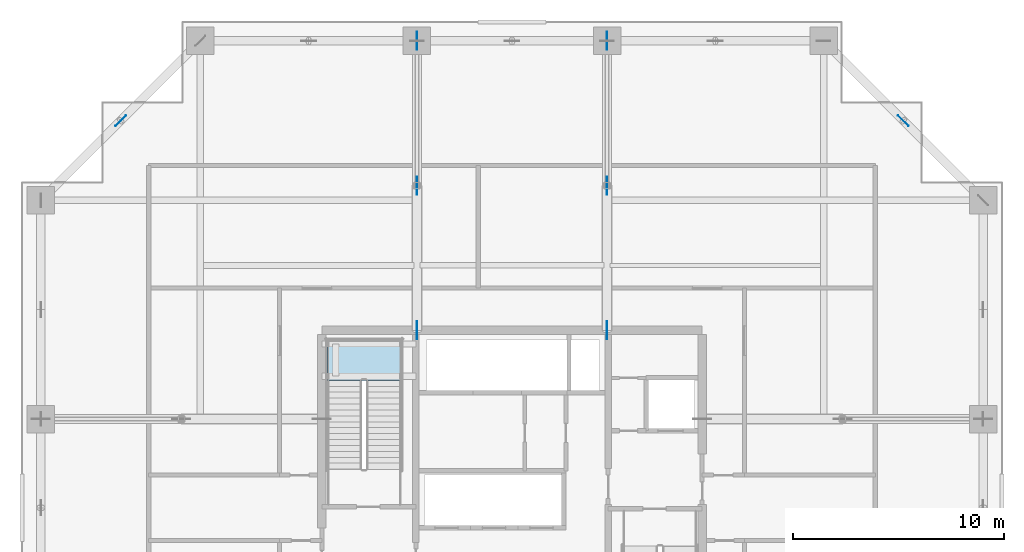
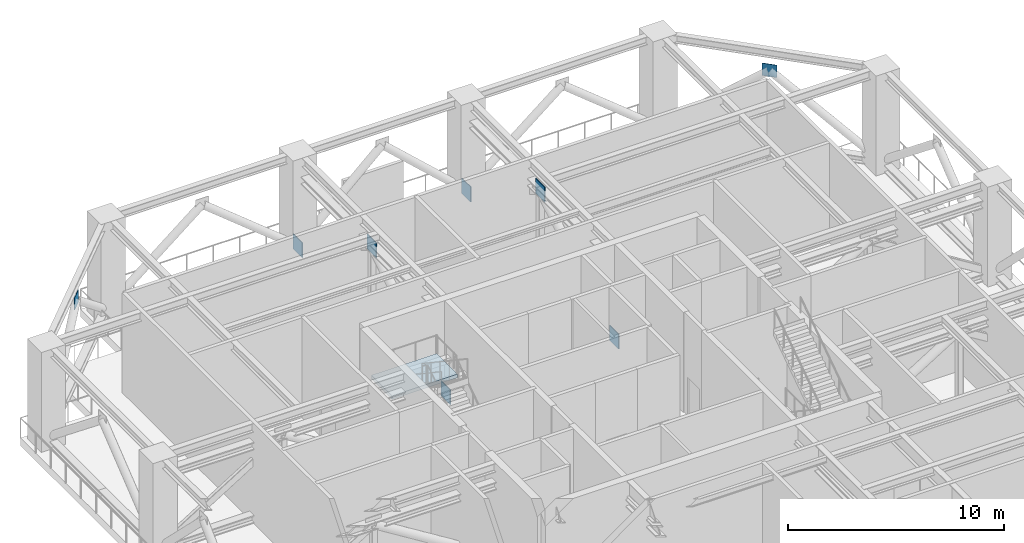
# One storey, part 10 of 22: 8 plates, 1 slab, 1 element without a shape of its own.
"""IFC4 building model written with IfcOpenShell, lengths in metres."""

from ifc_helpers import new_model, si_unit, direction, frame, origin, origin_2d, place, context, subcontext, project, spatial, polyline, rectangle, outline, extrude, source, transform, mapped, material, layer, layer_set, type_object, element, aggregate, save


model = new_model("IFC4")

# Units and contexts
model_context = context("Model", 3, precision=1e-05, world=origin(), true_north=direction((0.0, 1.0)))
body_context = subcontext(model_context, "Body", "Model", "MODEL_VIEW")
ifc_project = project(units=[si_unit("LENGTHUNIT", "METRE"), si_unit("AREAUNIT", "SQUARE_METRE"), si_unit("VOLUMEUNIT", "CUBIC_METRE"), si_unit("PLANEANGLEUNIT", "RADIAN"), si_unit("MASSUNIT", "GRAM", prefix="KILO")], contexts=[model_context])

# Site, building, storey
site_placement = place(None, origin())
site = spatial("IfcSite", under=ifc_project, at=site_placement, CompositionType="ELEMENT")
building_placement = place(site_placement, origin())
building = spatial("IfcBuilding", under=site, at=building_placement, Name="Serunith Strait Residences", CompositionType="ELEMENT")
storey_placement = place(building_placement, frame((0.0, 0.0, 198.89990234375)))
storey = spatial("IfcBuildingStorey", under=building, at=storey_placement, Name="L50", CompositionType="ELEMENT", Elevation=198.89990234375)

# Stair, slab
ifc_material_1 = material(Name="Concrete C50/60", Category="concrete")
stair_type = type_object("IfcStairType", Name="STR-CORE-1", PredefinedType="HALF_TURN_STAIR", material=ifc_material_1)
stair_placement = place(storey_placement, origin())
stair = element("IfcStair", 1, at=stair_placement, inside=storey, type_object=stair_type, Name="L50 Protected Escape Stair ST-1", PredefinedType="HALF_TURN_STAIR")
ifc_layer_1 = layer(ifc_material_1, 0.199951171875, Name="Concrete C50/60")
ifc_layer_set_1 = layer_set([ifc_layer_1], Name="Concrete C50/60")
slab_type = type_object("IfcSlabType", Name="SLB-LAND-200", PredefinedType="LANDING", material=ifc_layer_set_1)
slab_placement = place(storey_placement, frame((0.0, 0.0, 2.800048828125)))
slab = element("IfcSlab", 2, at=slab_placement, type_object=slab_type, Name="ST-1 landing 1", PredefinedType="LANDING", context=body_context, shape_type="SweptSolid", body=[
    extrude(outline(polyline([(27.14990234375, 31.22998046875), (27.14990234375, 33.14990234375), (23.64990234375, 33.14990234375), (23.64990234375, 31.22998046875), (27.14990234375, 31.22998046875)])), origin(), (0.0, 0.0, 1.0), 0.199951171875),
])
aggregate(stair, [slab])

# Plates
ifc_material_2 = material(Name="Steel S460M", Category="steel")
ifc_layer_2 = layer(ifc_material_2, 0.0400390625, Name="Steel S460M")
ifc_layer_set_2 = layer_set([ifc_layer_2], Name="Steel S460M")
plate_type_1 = type_object("IfcPlateType", Name="PLT-GUSSET-40", PredefinedType="USERDEFINED", material=ifc_layer_set_2)
shared_shape_1 = source(origin(), body_context, "Body", "SweptSolid", [
    extrude(rectangle(XDim=0.85009765625, YDim=0.0400390625, at=origin_2d()), origin(), (0.0, 0.0, 1.0), 0.85009765625),
])
for number, where, z_axis, x_axis, name in (
    (3, (27.89990234375, 33.60009765625, -0.175048828125), (0.0, 0.0, 1.0), (0.0, 1.0, 0.0), "L50 Outrigger Gusset Plate ND-05"),
    (4, (27.89990234375, 40.449951171875, 3.965087890625), (0.0, 0.0, 1.0), (0.0, 1.0, 0.0), "L50 Outrigger Gusset Plate ND-05"),
    (5, (27.89990234375, 47.300048828125, -0.175048828125), (0.0, 0.0, 1.0), (0.0, 1.0, 0.0), "L50 Outrigger Gusset Plate ND-05"),
    (6, (36.89990234375, 33.60009765625, -0.175048828125), (0.0, 0.0, 1.0), (0.0, 1.0, 0.0), "L50 Outrigger Gusset Plate ND-05"),
    (7, (36.89990234375, 40.449951171875, 3.965087890625), (0.0, 0.0, 1.0), (0.0, 1.0, 0.0), "L50 Outrigger Gusset Plate ND-05"),
    (8, (36.89990234375, 47.300048828125, -0.175048828125), (0.0, 0.0, 1.0), (0.0, 1.0, 0.0), "L50 Outrigger Gusset Plate ND-05"),
):
    element("IfcPlate", number, at=place(storey_placement, frame(where, z_axis=z_axis, x_axis=x_axis)), inside=storey, type_object=plate_type_1, Name=name, ObjectType="GUSSET_PLATE", PredefinedType="USERDEFINED", context=body_context, shape_type="MappedRepresentation", body=[
        mapped(shared_shape_1, transform((0.0, 0.0, 0.0), scale=1.0)),
    ])
ifc_layer_3 = layer(ifc_material_2, 0.02490234375, Name="Steel S460M")
ifc_layer_set_3 = layer_set([ifc_layer_3], Name="Steel S460M")
plate_type_2 = type_object("IfcPlateType", Name="PLT-CAP-25", PredefinedType="SHEET", material=ifc_layer_set_3)
shared_shape_2 = source(origin(), body_context, "Body", "SweptSolid", [
    extrude(rectangle(XDim=0.699951171875, YDim=0.02490234375, at=origin_2d()), origin(), (0.0, 0.0, 1.0), 0.699951171875),
])
for number, where, z_axis, x_axis, name in (
    (9, (50.925048828125, 43.52490234375, 4.0400390625), (0.0, 0.0, 1.0), (-0.707106781187, 0.707106781187, 0.0), "L50 Belt Truss Apex Gusset 08"),
    (10, (13.875, 43.52490234375, 4.0400390625), (0.0, 0.0, 1.0), (-0.707106781187, -0.707106781187, 0.0), "L50 Belt Truss Apex Gusset 12"),
):
    element("IfcPlate", number, at=place(storey_placement, frame(where, z_axis=z_axis, x_axis=x_axis)), inside=storey, type_object=plate_type_2, Name=name, PredefinedType="SHEET", context=body_context, shape_type="MappedRepresentation", body=[
        mapped(shared_shape_2, transform((0.0, 0.0, 0.0), scale=1.0)),
    ])

save(model, "model.ifc")
